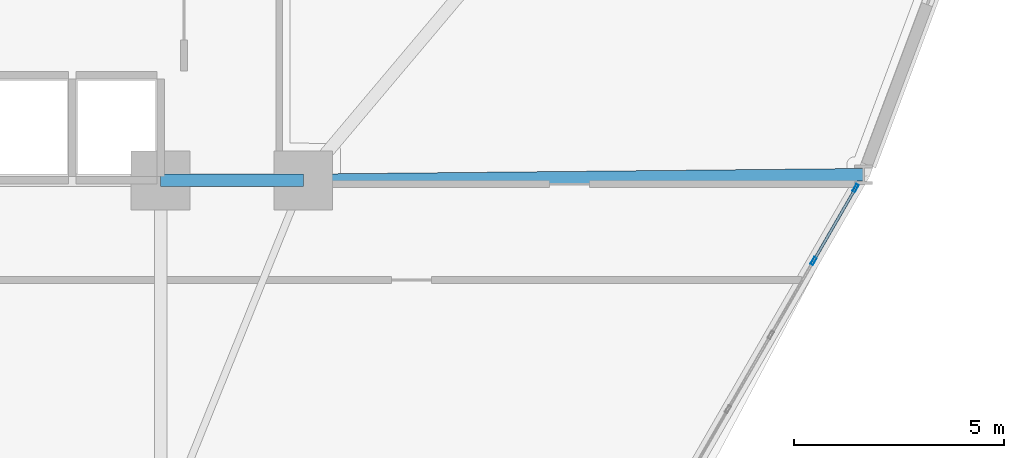
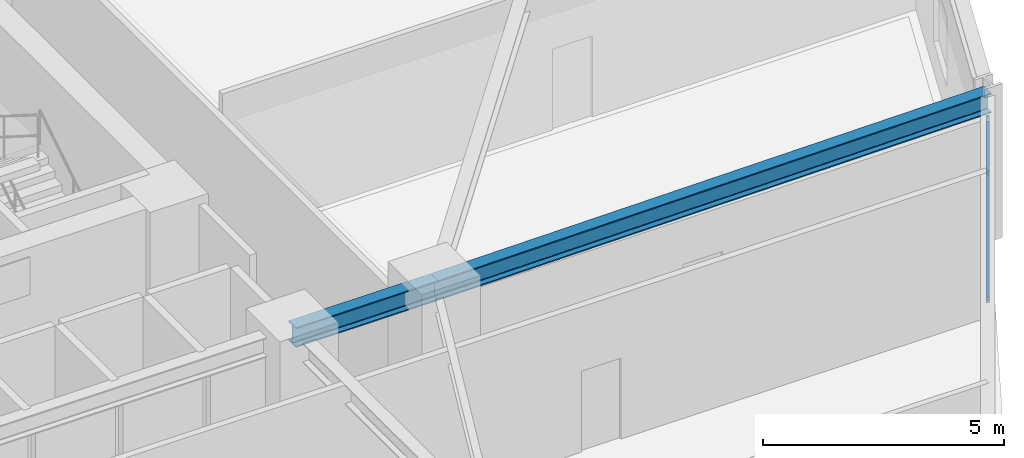
# One storey, part 8 of 20: 5 members, 2 beams, 1 element without a shape of its own.
"""IFC4 building model written with IfcOpenShell, lengths in metres."""

from ifc_helpers import new_model, si_unit, derived_unit, direction, frame, origin, origin_2d, place, context, subcontext, project, spatial, hollow_rectangle, i_section, extrude, source, transform, mapped, material, layer, layer_set, material_profile, profile_set, type_object, element, aggregate, save


model = new_model("IFC4")

# Units and contexts
model_context = context("Model", 3, precision=1e-05, world=origin(), true_north=direction((0.0, 1.0)))
body_context = subcontext(model_context, "Body", "Model", "MODEL_VIEW")
ifc_project = project(units=[si_unit("LENGTHUNIT", "METRE"), si_unit("AREAUNIT", "SQUARE_METRE"), si_unit("VOLUMEUNIT", "CUBIC_METRE"), si_unit("PLANEANGLEUNIT", "RADIAN"), si_unit("MASSUNIT", "GRAM", prefix="KILO"), derived_unit("THERMALTRANSMITTANCEUNIT", [(si_unit("POWERUNIT", "WATT"), 1), (si_unit("LENGTHUNIT", "METRE"), -2), (si_unit("THERMODYNAMICTEMPERATUREUNIT", "KELVIN"), -1)])], contexts=[model_context])

# Site, building, storey
site_placement = place(None, origin())
site = spatial("IfcSite", under=ifc_project, at=site_placement, CompositionType="ELEMENT")
building_placement = place(site_placement, origin())
building = spatial("IfcBuilding", under=site, at=building_placement, Name="Korsvarv Bourse and Concert Hall", CompositionType="ELEMENT")
storey_placement = place(building_placement, frame((0.0, 0.0, 75.60009765625)))
storey = spatial("IfcBuildingStorey", under=building, at=storey_placement, Name="L18", CompositionType="ELEMENT", Elevation=75.60009765625)

# Beams
ifc_material_1 = material(Name="Steel S355", Category="steel")
ifc_material_profile_1 = material_profile(ifc_material_1, i_section(OverallWidth=0.300048828125, OverallDepth=0.5, WebThickness=0.014404296875, FlangeThickness=0.028076171875, FilletRadius=0.02392578125, at=origin_2d()), Name="HEB 500")
ifc_profile_set_1 = profile_set([ifc_material_profile_1], Name="Steel S355")
beam_type = type_object("IfcBeamType", Name="BM-HEB500", PredefinedType="BEAM", material=ifc_profile_set_1)
shared_shape_1 = source(origin(), body_context, "Body", "SweptSolid", [
    extrude(i_section(OverallWidth=0.300048828125, OverallDepth=0.5, WebThickness=0.014404296875, FlangeThickness=0.028076171875, FilletRadius=0.02392578125, at=origin_2d()), origin(), (0.0, 0.0, 1.0), 3.400146484375),
])
beam_1_placement = place(storey_placement, frame((44.39990234375, 32.39990234375, 3.429931640625), z_axis=(1.0, 0.0, 0.0), x_axis=(0.0, 1.0, 0.0)))
element("IfcBeam", 1, at=beam_1_placement, inside=storey, type_object=beam_type, Name="L18 beam B-07", PredefinedType="BEAM", context=body_context, shape_type="MappedRepresentation", body=[
    mapped(shared_shape_1, transform((0.0, 0.0, 0.0), scale=1.0)),
])
shared_shape_2 = source(origin(), body_context, "Body", "SweptSolid", [
    extrude(i_section(OverallWidth=0.300048828125, OverallDepth=0.5, WebThickness=0.014404296875, FlangeThickness=0.028076171875, FilletRadius=0.02392578125, at=origin_2d()), origin(), (0.0, 0.0, 1.0), 13.341064453125),
])
beam_2_placement = place(storey_placement, frame((61.140380859375, 32.5341796875, 3.429931640625), z_axis=(-0.999949346529, -0.010065007514, 0.0), x_axis=(0.010065007514, -0.999949346529, 0.0)))
element("IfcBeam", 2, at=beam_2_placement, inside=storey, type_object=beam_type, Name="L18 beam B-07", PredefinedType="BEAM", context=body_context, shape_type="MappedRepresentation", body=[
    mapped(shared_shape_2, transform((0.0, 0.0, 0.0), scale=1.0)),
])

# Curtain wall, members
ifc_material_2 = material(Name="Anodised aluminium and triple low-E glazing", Category="glass")
ifc_layer = layer(ifc_material_2, 0.219970703125)
ifc_layer_set = layer_set([ifc_layer], Name="Anodised aluminium and triple low-E glazing")
curtain_wall_type = type_object("IfcCurtainWallType", Name="CW-SYS-1", PredefinedType="NOTDEFINED", material=ifc_layer_set)
curtain_wall_placement = place(storey_placement, origin())
curtain_wall = element("IfcCurtainWall", 3, at=curtain_wall_placement, inside=storey, type_object=curtain_wall_type, Name="L18 CW1 curtain wall CW-L18-F11", PredefinedType="NOTDEFINED")
ifc_material_3 = material(Name="Extruded aluminium EN AW-6063 T66", Category="aluminium")
ifc_material_profile_2 = material_profile(ifc_material_3, hollow_rectangle(XDim=0.070068359375, YDim=0.18994140625, WallThickness=0.0048828125, at=origin_2d()), Name="ALU-M 70x190")
ifc_profile_set_2 = profile_set([ifc_material_profile_2], Name="Extruded aluminium EN AW-6063 T66")
member_type_1 = type_object("IfcMemberType", Name="CWM-190", PredefinedType="MULLION", material=ifc_profile_set_2)
shared_shape_3 = source(origin(), body_context, "Body", "SweptSolid", [
    extrude(hollow_rectangle(XDim=0.070068359375, YDim=0.18994140625, WallThickness=0.0048828125, at=origin_2d()), origin(), (0.0, 0.0, 1.0), 3.22998046875),
])
member_1_placement = place(storey_placement, frame((59.955078125, 30.481201171875, 0.0), z_axis=(0.0, 0.0, 1.0), x_axis=(-0.866024243871, 0.500002009023, 0.0)))
member_1 = element("IfcMember", 4, at=member_1_placement, type_object=member_type_1, Name="CW1 mullion 7", PredefinedType="MULLION", context=body_context, shape_type="MappedRepresentation", body=[
    mapped(shared_shape_3, transform((0.0, 0.0, 0.0), scale=1.0)),
])
member_2_placement = place(storey_placement, frame((60.95703125, 32.216796875, 0.0), z_axis=(0.0, 0.0, 1.0), x_axis=(-0.866024243871, 0.500002009023, 0.0)))
member_2 = element("IfcMember", 5, at=member_2_placement, type_object=member_type_1, Name="CW1 mullion 8", PredefinedType="MULLION", context=body_context, shape_type="MappedRepresentation", body=[
    mapped(shared_shape_3, transform((0.0, 0.0, 0.0), scale=1.0)),
])
ifc_material_profile_3 = material_profile(ifc_material_3, hollow_rectangle(XDim=0.06494140625, YDim=0.1650390625, WallThickness=0.0048828125, at=origin_2d()), Name="ALU-M 65x165")
ifc_profile_set_3 = profile_set([ifc_material_profile_3], Name="Extruded aluminium EN AW-6063 T66")
member_type_2 = type_object("IfcMemberType", Name="CWM-165", PredefinedType="MULLION", material=ifc_profile_set_3)
shared_shape_4 = source(origin(), body_context, "Body", "SweptSolid", [
    extrude(hollow_rectangle(XDim=0.06494140625, YDim=0.1650390625, WallThickness=0.0048828125, at=origin_2d()), origin(), (0.0, 0.0, 1.0), 3.65380859375),
])
member_3_placement = place(storey_placement, frame((59.972412109375, 30.511474609375, 0.06494140625), z_axis=(0.264731375776, 0.458435630793, 0.848383210053), x_axis=(-0.86598168804, 0.500075710248, 0.0)))
member_3 = element("IfcMember", 6, at=member_3_placement, type_object=member_type_2, Name="CW1 diagonal mullion 7", PredefinedType="MULLION", context=body_context, shape_type="MappedRepresentation", body=[
    mapped(shared_shape_4, transform((0.0, 0.0, 0.0), scale=1.0)),
])
ifc_material_profile_4 = material_profile(ifc_material_3, hollow_rectangle(XDim=0.06494140625, YDim=0.139892578125, WallThickness=0.00390625, at=origin_2d()), Name="ALU-T 65x140")
ifc_profile_set_4 = profile_set([ifc_material_profile_4], Name="Extruded aluminium EN AW-6063 T66")
member_type_3 = type_object("IfcMemberType", Name="CWT-140", PredefinedType="USERDEFINED", material=ifc_profile_set_4)
shared_shape_5 = source(origin(), body_context, "Body", "SweptSolid", [
    extrude(hollow_rectangle(XDim=0.06494140625, YDim=0.139892578125, WallThickness=0.00390625, at=origin_2d()), origin(), (0.0, 0.0, 1.0), 1.934326171875),
])
member_4_placement = place(storey_placement, frame((59.972412109375, 30.511474609375, 0.032470703125), z_axis=(0.500075710248, 0.86598168804, 0.0), x_axis=(-0.86598168804, 0.500075710248, 0.0)))
member_4 = element("IfcMember", 7, at=member_4_placement, type_object=member_type_3, Name="CW1 transom 7.1", ObjectType="TRANSOM", PredefinedType="USERDEFINED", context=body_context, shape_type="MappedRepresentation", body=[
    mapped(shared_shape_5, transform((0.0, 0.0, 0.0), scale=1.0)),
])
member_5_placement = place(storey_placement, frame((59.972412109375, 30.511474609375, 3.197509765625), z_axis=(0.500075710248, 0.86598168804, 0.0), x_axis=(-0.86598168804, 0.500075710248, 0.0)))
member_5 = element("IfcMember", 8, at=member_5_placement, type_object=member_type_3, Name="CW1 transom 7.2", ObjectType="TRANSOM", PredefinedType="USERDEFINED", context=body_context, shape_type="MappedRepresentation", body=[
    mapped(shared_shape_5, transform((0.0, 0.0, 0.0), scale=1.0)),
])
aggregate(curtain_wall, [member_1, member_2, member_4, member_5, member_3])

save(model, "model.ifc")
